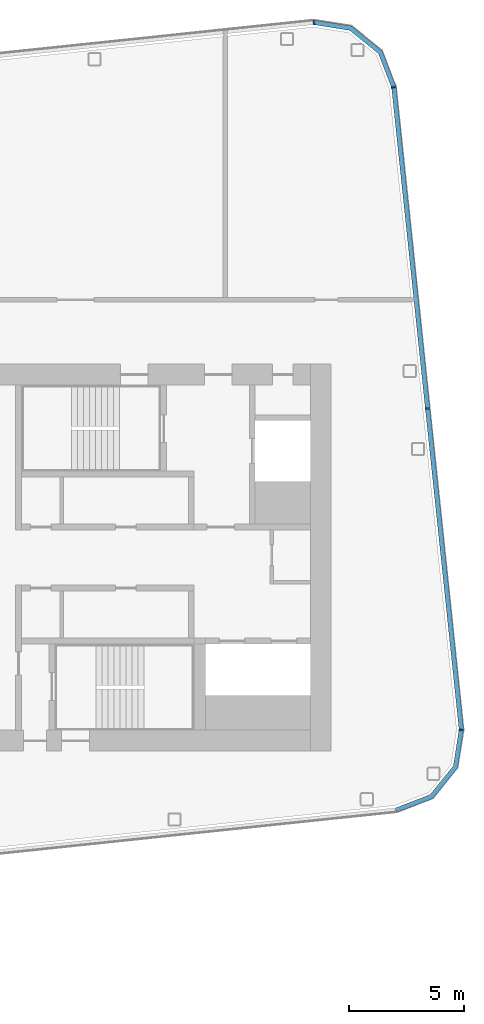
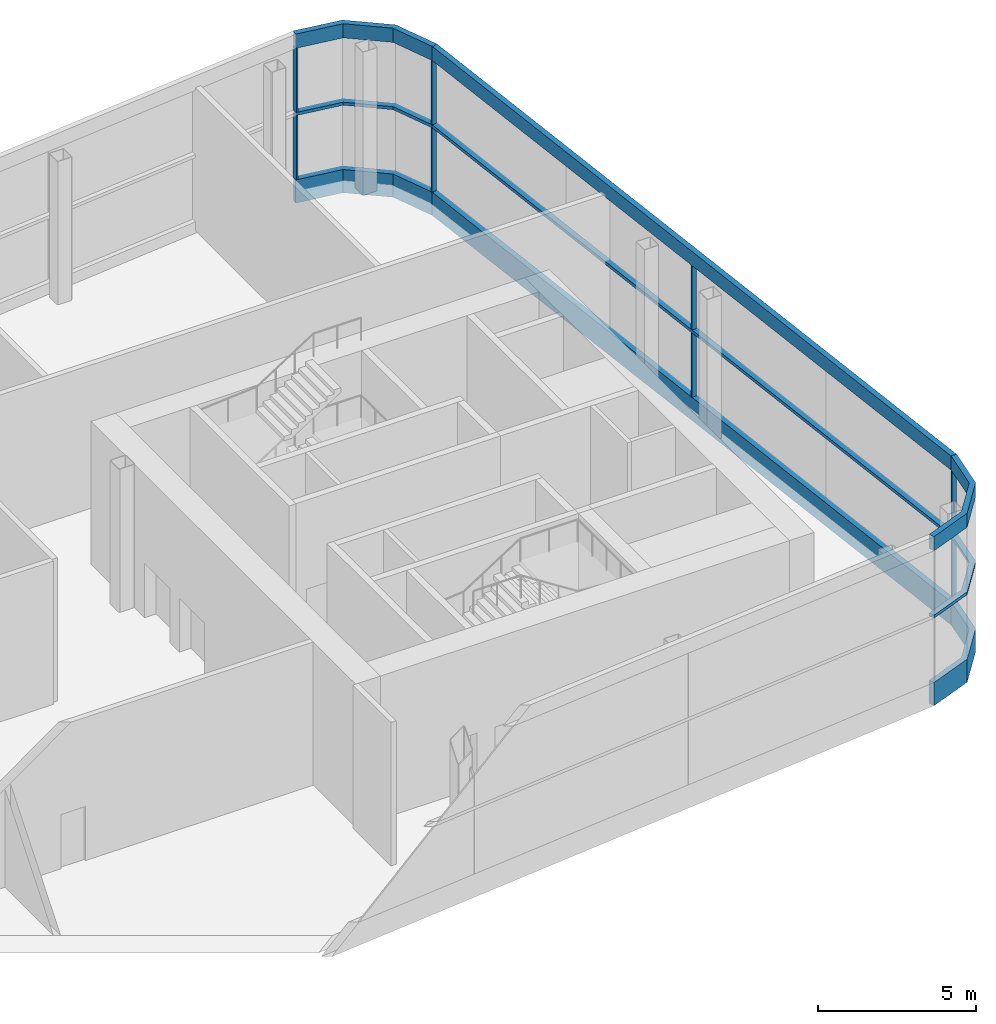
# One storey, part 12 of 35: 17 members, 4 elements without a shape of their own.
"""IFC4 building model written with IfcOpenShell, lengths in metres."""

from ifc_helpers import new_model, si_unit, direction, frame, origin, origin_2d, place, context, subcontext, project, spatial, polyline, rectangle, outline, extrude, material, layer, layer_set, material_profile, profile_set, type_object, element, aggregate, save


model = new_model("IFC4")

# Units and contexts
model_context = context("Model", 3, precision=1e-05, world=origin(), true_north=direction((0.0, 1.0)))
body_context = subcontext(model_context, "Body", "Model", "MODEL_VIEW")
ifc_project = project(units=[si_unit("LENGTHUNIT", "METRE"), si_unit("AREAUNIT", "SQUARE_METRE"), si_unit("VOLUMEUNIT", "CUBIC_METRE"), si_unit("PLANEANGLEUNIT", "RADIAN"), si_unit("MASSUNIT", "GRAM", prefix="KILO")], contexts=[model_context])

# Site, building, storey
site_placement = place(None, origin())
site = spatial("IfcSite", under=ifc_project, at=site_placement, CompositionType="ELEMENT")
building_placement = place(site_placement, origin())
building = spatial("IfcBuilding", under=site, at=building_placement, Name="Hakoniwa Tower and Hamabe Station Hall", CompositionType="ELEMENT")
storey_placement = place(building_placement, frame((0.0, 0.0, 270.60009765625)))
storey = spatial("IfcBuildingStorey", under=building, at=storey_placement, Name="L76", CompositionType="ELEMENT", Elevation=270.60009765625)

# Curtain wall, member
ifc_material_1 = material(Name="Dark low-e laminated glass", Category="glass")
ifc_layer = layer(ifc_material_1, 0.199951171875)
ifc_layer_set = layer_set([ifc_layer], Name="CW-1 UNITISED GUEST")
curtain_wall_type = type_object("IfcCurtainWallType", Name="CW-1 UNITISED GUEST", PredefinedType="NOTDEFINED", material=ifc_layer_set)
curtain_wall_1_placement = place(storey_placement, origin())
curtain_wall_1 = element("IfcCurtainWall", 1, at=curtain_wall_1_placement, inside=storey, type_object=curtain_wall_type, Name="CW-1 curtain wall", PredefinedType="NOTDEFINED")
ifc_material_2 = material(Name="Aluminium 6063-T5 black anodised", Category="aluminium")
ifc_material_profile_1 = material_profile(ifc_material_2, rectangle(XDim=0.199951171875, YDim=0.550048828125, at=origin_2d()), Name="CW HEAD BAND 550X200")
ifc_profile_set_1 = profile_set([ifc_material_profile_1], Name="Aluminium 6063-T5 black anodised")
member_type_1 = type_object("IfcMemberType", Name="CW HEAD BAND 550X200", PredefinedType="USERDEFINED", material=ifc_profile_set_1)
member_1_placement = place(storey_placement, frame((39.25927734375, -7.490478515625, 5.724853515625), z_axis=(-0.104529086463, 0.994521829868, 0.0), x_axis=(-0.994521829868, -0.104529086463, 0.0)))
member_1 = element("IfcMember", 2, at=member_1_placement, type_object=member_type_1, Name="CW-1 transom", ObjectType="TRANSOM", PredefinedType="USERDEFINED", context=body_context, shape_type="SweptSolid", body=[
    extrude(rectangle(XDim=0.199951171875, YDim=0.550048828125, at=origin_2d()), origin(), (0.0, 0.0, 1.0), 28.078857421875),
])

curtain_wall_2_placement = place(storey_placement, origin())
curtain_wall_2 = element("IfcCurtainWall", 3, at=curtain_wall_2_placement, inside=storey, type_object=curtain_wall_type, Name="CW-1 curtain wall", PredefinedType="NOTDEFINED")
member_2_placement = place(storey_placement, frame((0.0, 0.0, 5.449951171875)))
member_2 = element("IfcMember", 4, at=member_2_placement, type_object=member_type_1, Name="CW-1 transom", ObjectType="TRANSOM", PredefinedType="USERDEFINED", context=body_context, shape_type="SweptSolid", body=[
    extrude(outline(polyline([(36.423828125, 20.445068359375), (35.82421875, 22.0068359375), (34.492431640625, 23.085205078125), (32.84033203125, 23.346923828125), (32.80908203125, 23.1494140625), (34.408203125, 22.89599609375), (35.65673828125, 21.885009765625), (36.237060546875, 20.37353515625), (36.423828125, 20.445068359375)])), origin(), (0.0, 0.0, 1.0), 0.550048828125),
])

curtain_wall_3_placement = place(storey_placement, origin())
curtain_wall_3 = element("IfcCurtainWall", 5, at=curtain_wall_3_placement, inside=storey, type_object=curtain_wall_type, Name="CW-1 curtain wall", PredefinedType="NOTDEFINED")
member_3_placement = place(storey_placement, frame((0.0, 0.0, 5.449951171875)))
member_3 = element("IfcMember", 6, at=member_3_placement, type_object=member_type_1, Name="CW-1 transom", ObjectType="TRANSOM", PredefinedType="USERDEFINED", context=body_context, shape_type="SweptSolid", body=[
    extrude(outline(polyline([(36.45703125, -11.0634765625), (38.0185546875, -10.464111328125), (39.09716796875, -9.13232421875), (39.35888671875, -7.47998046875), (39.161376953125, -7.44873046875), (38.907958984375, -9.048095703125), (37.89697265625, -10.296630859375), (36.38525390625, -10.876708984375), (36.45703125, -11.0634765625)])), origin(), (0.0, 0.0, 1.0), 0.550048828125),
])

# Member
ifc_material_3 = material(Name="Aluminium 6063-T5 black anodised", Category="aluminium")
ifc_material_profile_2 = material_profile(ifc_material_3, rectangle(XDim=0.199951171875, YDim=0.1201171875, at=origin_2d()), Name="CW MID TRANSOM 120X200")
ifc_profile_set_2 = profile_set([ifc_material_profile_2], Name="Aluminium 6063-T5 black anodised")
member_type_2 = type_object("IfcMemberType", Name="CW MID TRANSOM 120X200", PredefinedType="USERDEFINED", material=ifc_profile_set_2)
member_4_placement = place(storey_placement, frame((39.25927734375, -7.490478515625, 2.89990234375), z_axis=(-0.104529086463, 0.994521829868, 0.0), x_axis=(-0.994521829868, -0.104529086463, 0.0)))
member_4 = element("IfcMember", 7, at=member_4_placement, type_object=member_type_2, Name="CW-1 transom", ObjectType="TRANSOM", PredefinedType="USERDEFINED", context=body_context, shape_type="SweptSolid", body=[
    extrude(rectangle(XDim=0.199951171875, YDim=0.1201171875, at=origin_2d()), origin(), (0.0, 0.0, 1.0), 28.078857421875),
])

member_5_placement = place(storey_placement, frame((0.0, 0.0, 2.83984375)))
member_5 = element("IfcMember", 8, at=member_5_placement, type_object=member_type_2, Name="CW-1 transom", ObjectType="TRANSOM", PredefinedType="USERDEFINED", context=body_context, shape_type="SweptSolid", body=[
    extrude(outline(polyline([(36.423828125, 20.445068359375), (35.82421875, 22.0068359375), (34.492431640625, 23.085205078125), (32.84033203125, 23.346923828125), (32.80908203125, 23.1494140625), (34.408203125, 22.89599609375), (35.65673828125, 21.885009765625), (36.237060546875, 20.37353515625), (36.423828125, 20.445068359375)])), origin(), (0.0, 0.0, 1.0), 0.1201171875),
])

member_6_placement = place(storey_placement, frame((0.0, 0.0, 2.83984375)))
member_6 = element("IfcMember", 9, at=member_6_placement, type_object=member_type_2, Name="CW-1 transom", ObjectType="TRANSOM", PredefinedType="USERDEFINED", context=body_context, shape_type="SweptSolid", body=[
    extrude(outline(polyline([(36.45703125, -11.0634765625), (38.0185546875, -10.464111328125), (39.09716796875, -9.13232421875), (39.35888671875, -7.47998046875), (39.161376953125, -7.44873046875), (38.907958984375, -9.048095703125), (37.89697265625, -10.296630859375), (36.38525390625, -10.876708984375), (36.45703125, -11.0634765625)])), origin(), (0.0, 0.0, 1.0), 0.1201171875),
])

ifc_material_4 = material(Name="Aluminium 6063-T5 black anodised", Category="aluminium")
ifc_material_profile_3 = material_profile(ifc_material_4, rectangle(XDim=0.199951171875, YDim=0.89990234375, at=origin_2d()), Name="CW SLAB-EDGE BAND 900X200")
ifc_profile_set_3 = profile_set([ifc_material_profile_3], Name="Aluminium 6063-T5 black anodised")
member_type_3 = type_object("IfcMemberType", Name="CW SLAB-EDGE BAND 900X200", PredefinedType="USERDEFINED", material=ifc_profile_set_3)
member_7_placement = place(storey_placement, frame((39.25927734375, -7.490478515625, -0.10009765625), z_axis=(-0.104529086463, 0.994521829868, 0.0), x_axis=(-0.994521829868, -0.104529086463, 0.0)))
member_7 = element("IfcMember", 10, at=member_7_placement, type_object=member_type_3, Name="CW-1 transom", ObjectType="TRANSOM", PredefinedType="USERDEFINED", context=body_context, shape_type="SweptSolid", body=[
    extrude(rectangle(XDim=0.199951171875, YDim=0.89990234375, at=origin_2d()), origin(), (0.0, 0.0, 1.0), 28.078857421875),
])

member_8_placement = place(storey_placement, frame((0.0, 0.0, -0.550048828125)))
member_8 = element("IfcMember", 11, at=member_8_placement, type_object=member_type_3, Name="CW-1 transom", ObjectType="TRANSOM", PredefinedType="USERDEFINED", context=body_context, shape_type="SweptSolid", body=[
    extrude(outline(polyline([(36.423828125, 20.445068359375), (35.82421875, 22.0068359375), (34.492431640625, 23.085205078125), (32.84033203125, 23.346923828125), (32.80908203125, 23.1494140625), (34.408203125, 22.89599609375), (35.65673828125, 21.885009765625), (36.237060546875, 20.37353515625), (36.423828125, 20.445068359375)])), origin(), (0.0, 0.0, 1.0), 0.89990234375),
])

aggregate(curtain_wall_2, [member_8, member_5, member_2])

member_9_placement = place(storey_placement, frame((0.0, 0.0, -0.550048828125)))
member_9 = element("IfcMember", 12, at=member_9_placement, type_object=member_type_3, Name="CW-1 transom", ObjectType="TRANSOM", PredefinedType="USERDEFINED", context=body_context, shape_type="SweptSolid", body=[
    extrude(outline(polyline([(36.45703125, -11.0634765625), (38.0185546875, -10.464111328125), (39.09716796875, -9.13232421875), (39.35888671875, -7.47998046875), (39.161376953125, -7.44873046875), (38.907958984375, -9.048095703125), (37.89697265625, -10.296630859375), (36.38525390625, -10.876708984375), (36.45703125, -11.0634765625)])), origin(), (0.0, 0.0, 1.0), 0.89990234375),
])

aggregate(curtain_wall_3, [member_9, member_6, member_3])

ifc_material_5 = material(Name="Aluminium 6063-T5 black anodised", Category="aluminium")
ifc_material_profile_4 = material_profile(ifc_material_5, rectangle(XDim=0.06005859375, YDim=0.179931640625, at=origin_2d()), Name="CW-1 MULLION 60X180")
ifc_profile_set_4 = profile_set([ifc_material_profile_4], Name="Aluminium 6063-T5 black anodised")
member_type_4 = type_object("IfcMemberType", Name="CW-1 MULLION 60X180", PredefinedType="MULLION", material=ifc_profile_set_4)
member_10_placement = place(storey_placement, frame((39.241455078125, -7.492431640625, 0.349853515625), z_axis=(0.0, 0.0, 1.0), x_axis=(-0.104528468631, 0.994521894805, 0.0)))
member_10 = element("IfcMember", 13, at=member_10_placement, type_object=member_type_4, Name="CW-1 mullion", PredefinedType="MULLION", context=body_context, shape_type="SweptSolid", body=[
    extrude(rectangle(XDim=0.06005859375, YDim=0.179931640625, at=origin_2d()), origin(), (0.0, 0.0, 1.0), 2.489990234375),
])

member_11_placement = place(storey_placement, frame((39.241455078125, -7.492431640625, 2.9599609375), z_axis=(0.0, 0.0, 1.0), x_axis=(-0.104528468631, 0.994521894805, 0.0)))
member_11 = element("IfcMember", 14, at=member_11_placement, type_object=member_type_4, Name="CW-1 mullion", PredefinedType="MULLION", context=body_context, shape_type="SweptSolid", body=[
    extrude(rectangle(XDim=0.06005859375, YDim=0.179931640625, at=origin_2d()), origin(), (0.0, 0.0, 1.0), 2.489990234375),
])

member_12_placement = place(storey_placement, frame((37.77392578125, 6.47021484375, 0.349853515625), z_axis=(0.0, 0.0, 1.0), x_axis=(-0.104528468631, 0.994521894805, 0.0)))
member_12 = element("IfcMember", 15, at=member_12_placement, type_object=member_type_4, Name="CW-1 mullion", PredefinedType="MULLION", context=body_context, shape_type="SweptSolid", body=[
    extrude(rectangle(XDim=0.06005859375, YDim=0.179931640625, at=origin_2d()), origin(), (0.0, 0.0, 1.0), 2.489990234375),
])

member_13_placement = place(storey_placement, frame((37.77392578125, 6.47021484375, 2.9599609375), z_axis=(0.0, 0.0, 1.0), x_axis=(-0.104528468631, 0.994521894805, 0.0)))
member_13 = element("IfcMember", 16, at=member_13_placement, type_object=member_type_4, Name="CW-1 mullion", PredefinedType="MULLION", context=body_context, shape_type="SweptSolid", body=[
    extrude(rectangle(XDim=0.06005859375, YDim=0.179931640625, at=origin_2d()), origin(), (0.0, 0.0, 1.0), 2.489990234375),
])

member_14_placement = place(storey_placement, frame((36.306396484375, 20.432861328125, 0.349853515625), z_axis=(0.0, 0.0, 1.0), x_axis=(-0.104528468631, 0.994521894805, 0.0)))
member_14 = element("IfcMember", 17, at=member_14_placement, type_object=member_type_4, Name="CW-1 mullion", PredefinedType="MULLION", context=body_context, shape_type="SweptSolid", body=[
    extrude(rectangle(XDim=0.06005859375, YDim=0.179931640625, at=origin_2d()), origin(), (0.0, 0.0, 1.0), 2.489990234375),
])

member_15_placement = place(storey_placement, frame((36.306396484375, 20.432861328125, 2.9599609375), z_axis=(0.0, 0.0, 1.0), x_axis=(-0.104528468631, 0.994521894805, 0.0)))
member_15 = element("IfcMember", 18, at=member_15_placement, type_object=member_type_4, Name="CW-1 mullion", PredefinedType="MULLION", context=body_context, shape_type="SweptSolid", body=[
    extrude(rectangle(XDim=0.06005859375, YDim=0.179931640625, at=origin_2d()), origin(), (0.0, 0.0, 1.0), 2.489990234375),
])

aggregate(curtain_wall_1, [member_10, member_11, member_12, member_13, member_14, member_15, member_7, member_4, member_1])

# Curtain wall, members
curtain_wall_4_placement = place(storey_placement, origin())
curtain_wall_4 = element("IfcCurtainWall", 19, at=curtain_wall_4_placement, inside=storey, type_object=curtain_wall_type, Name="CW-1 curtain wall", PredefinedType="NOTDEFINED")
member_16_placement = place(storey_placement, frame((32.8525390625, 23.2294921875, 0.349853515625), z_axis=(0.0, 0.0, 1.0), x_axis=(-0.994521895272, -0.104528464188, 0.0)))
member_16 = element("IfcMember", 20, at=member_16_placement, type_object=member_type_4, Name="CW-1 mullion", PredefinedType="MULLION", context=body_context, shape_type="SweptSolid", body=[
    extrude(rectangle(XDim=0.06005859375, YDim=0.179931640625, at=origin_2d()), origin(), (0.0, 0.0, 1.0), 2.489990234375),
])
member_17_placement = place(storey_placement, frame((32.8525390625, 23.2294921875, 2.9599609375), z_axis=(0.0, 0.0, 1.0), x_axis=(-0.994521895272, -0.104528464188, 0.0)))
member_17 = element("IfcMember", 21, at=member_17_placement, type_object=member_type_4, Name="CW-1 mullion", PredefinedType="MULLION", context=body_context, shape_type="SweptSolid", body=[
    extrude(rectangle(XDim=0.06005859375, YDim=0.179931640625, at=origin_2d()), origin(), (0.0, 0.0, 1.0), 2.489990234375),
])
aggregate(curtain_wall_4, [member_16, member_17])

save(model, "model.ifc")
